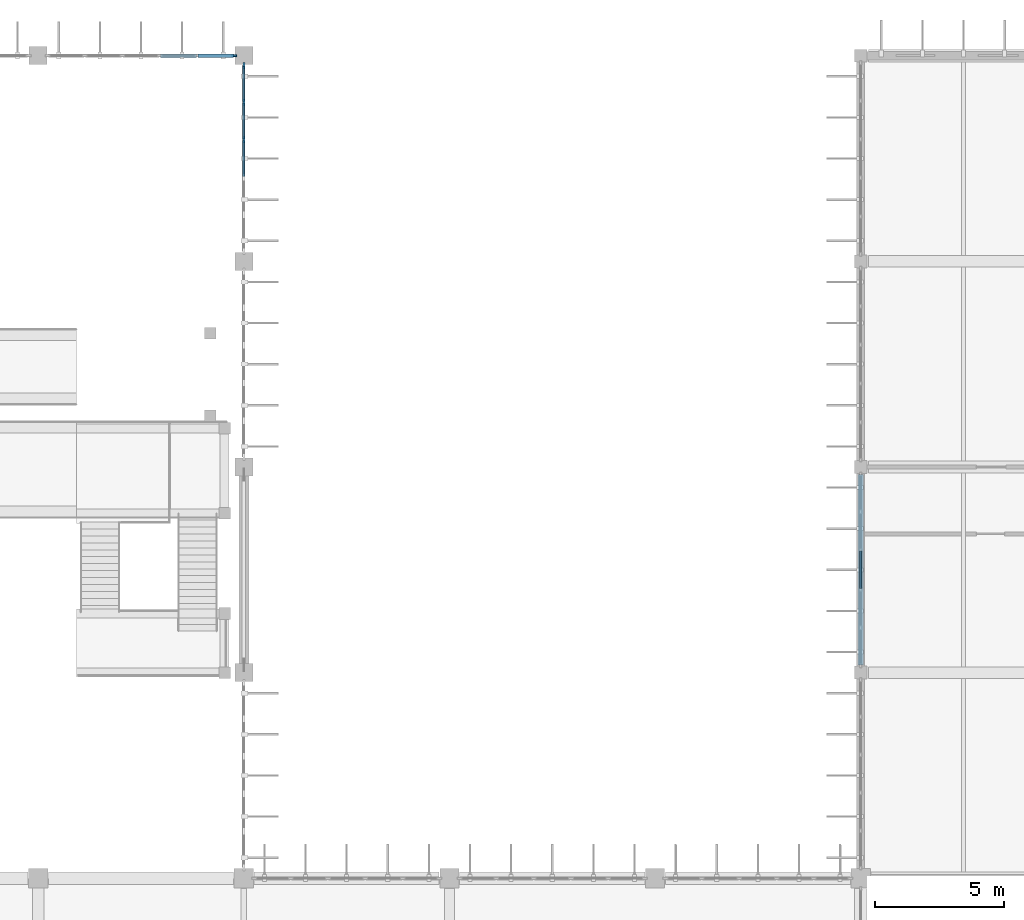
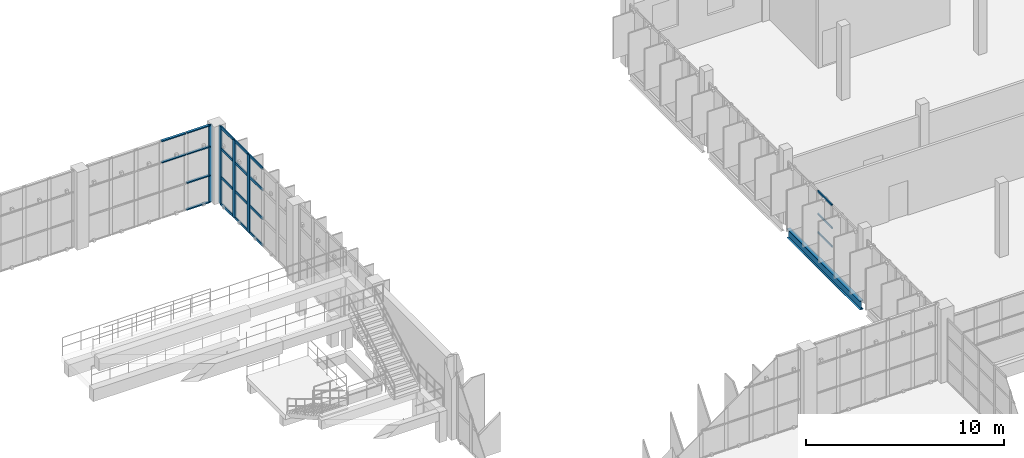
# One storey, part 35 of 93: 25 members, 1 beam, 3 elements without a shape of their own.
"""IFC4 building model written with IfcOpenShell, lengths in metres."""

from ifc_helpers import new_model, si_unit, direction, frame, origin, origin_2d, place, context, subcontext, project, spatial, rectangle, i_section, extrude, material, layer, layer_set, material_profile, profile_set, type_object, element, aggregate, save


model = new_model("IFC4")

# Units and contexts
model_context = context("Model", 3, precision=1e-05, world=origin(), true_north=direction((0.0, 1.0)))
body_context = subcontext(model_context, "Body", "Model", "MODEL_VIEW")
ifc_project = project(units=[si_unit("LENGTHUNIT", "METRE"), si_unit("AREAUNIT", "SQUARE_METRE"), si_unit("VOLUMEUNIT", "CUBIC_METRE"), si_unit("PLANEANGLEUNIT", "RADIAN"), si_unit("MASSUNIT", "GRAM", prefix="KILO")], contexts=[model_context])

# Site, building, storey
site_placement = place(None, origin())
site = spatial("IfcSite", under=ifc_project, at=site_placement, CompositionType="ELEMENT")
building_placement = place(site_placement, origin())
building = spatial("IfcBuilding", under=site, at=building_placement, Name="Drelvana Railside Aquatics Centre", CompositionType="ELEMENT")
storey_placement = place(building_placement, frame((0.0, 0.0, 5.39990234375)))
storey = spatial("IfcBuildingStorey", under=building, at=storey_placement, Name="L01", CompositionType="ELEMENT", Elevation=5.39990234375)

# Curtain wall, members
ifc_material_1 = material(Name="Bronze-anodised aluminium curtain wall", Category="aluminium")
ifc_layer_1 = layer(ifc_material_1, 0.179931640625, Name="Bronze-anodised aluminium curtain wall")
ifc_layer_set_1 = layer_set([ifc_layer_1], Name="Bronze-anodised aluminium curtain wall")
curtain_wall_type_1 = type_object("IfcCurtainWallType", Name="CW-Z2-CLER", PredefinedType="NOTDEFINED", material=ifc_layer_set_1)
curtain_wall_1_placement = place(storey_placement, origin())
curtain_wall_1 = element("IfcCurtainWall", 1, at=curtain_wall_1_placement, inside=storey, type_object=curtain_wall_type_1, Name="Curtain wall CW-02-040", PredefinedType="NOTDEFINED")
ifc_material_2 = material(Name="Bronze-anodised aluminium 6063-T6", Category="aluminium")
ifc_material_profile_1 = material_profile(ifc_material_2, rectangle(XDim=0.070068359375, YDim=0.199951171875, at=origin_2d()), Name="ALU-M 70x200")
ifc_profile_set_1 = profile_set([ifc_material_profile_1], Name="Bronze-anodised aluminium 6063-T6")
member_type_1 = type_object("IfcMemberType", Name="CW-Z2-CLER-MUL", PredefinedType="MULLION", material=ifc_profile_set_1)
member_1_placement = place(storey_placement, frame((71.62109375, 116.0, -0.005859375), z_axis=(0.0, 0.0, 1.0), x_axis=(0.0, 1.0, 0.0)))
member_1 = element("IfcMember", 2, at=member_1_placement, type_object=member_type_1, Name="CW-02 mullion 6", PredefinedType="MULLION", context=body_context, shape_type="SweptSolid", body=[
    extrude(rectangle(XDim=0.070068359375, YDim=0.199951171875, at=origin_2d()), origin(), (0.0, 0.0, 1.0), 4.7958984375),
])
ifc_material_profile_2 = material_profile(ifc_material_2, rectangle(XDim=0.139892578125, YDim=0.06494140625, at=origin_2d()), Name="ALU-T 65x140")
ifc_profile_set_2 = profile_set([ifc_material_profile_2], Name="Bronze-anodised aluminium 6063-T6")
member_type_2 = type_object("IfcMemberType", Name="CW-Z2-CLER-TRN", PredefinedType="USERDEFINED", material=ifc_profile_set_2)
member_2_placement = place(storey_placement, frame((68.76123046875, 116.0, 3.447021484375), z_axis=(1.0, 0.0, 0.0), x_axis=(0.0, 1.0, 0.0)))
member_2 = element("IfcMember", 3, at=member_2_placement, type_object=member_type_2, Name="CW-02 transom 4.3", ObjectType="TRANSOM", PredefinedType="USERDEFINED", context=body_context, shape_type="SweptSolid", body=[
    extrude(rectangle(XDim=0.139892578125, YDim=0.06494140625, at=origin_2d()), origin(), (0.0, 0.0, 1.0), 1.40234375),
])
member_3_placement = place(storey_placement, frame((68.76123046875, 116.0, 4.757568359375), z_axis=(1.0, 0.0, 0.0), x_axis=(0.0, 1.0, 0.0)))
member_3 = element("IfcMember", 4, at=member_3_placement, type_object=member_type_2, Name="CW-02 transom 4.4", ObjectType="TRANSOM", PredefinedType="USERDEFINED", context=body_context, shape_type="SweptSolid", body=[
    extrude(rectangle(XDim=0.139892578125, YDim=0.06494140625, at=origin_2d()), origin(), (0.0, 0.0, 1.0), 1.40234375),
])
member_4_placement = place(storey_placement, frame((70.2236328125, 116.0, 0.026611328125), z_axis=(1.0, 0.0, 0.0), x_axis=(0.0, 1.0, 0.0)))
member_4 = element("IfcMember", 5, at=member_4_placement, type_object=member_type_2, Name="CW-02 transom 5.1", ObjectType="TRANSOM", PredefinedType="USERDEFINED", context=body_context, shape_type="SweptSolid", body=[
    extrude(rectangle(XDim=0.139892578125, YDim=0.06494140625, at=origin_2d()), origin(), (0.0, 0.0, 1.0), 1.367431640625),
])
member_5_placement = place(storey_placement, frame((70.2236328125, 116.0, 1.673095703125), z_axis=(1.0, 0.0, 0.0), x_axis=(0.0, 1.0, 0.0)))
member_5 = element("IfcMember", 6, at=member_5_placement, type_object=member_type_2, Name="CW-02 transom 5.2", ObjectType="TRANSOM", PredefinedType="USERDEFINED", context=body_context, shape_type="SweptSolid", body=[
    extrude(rectangle(XDim=0.139892578125, YDim=0.06494140625, at=origin_2d()), origin(), (0.0, 0.0, 1.0), 1.367431640625),
])
member_6_placement = place(storey_placement, frame((70.2236328125, 116.0, 3.447021484375), z_axis=(1.0, 0.0, 0.0), x_axis=(0.0, 1.0, 0.0)))
member_6 = element("IfcMember", 7, at=member_6_placement, type_object=member_type_2, Name="CW-02 transom 5.3", ObjectType="TRANSOM", PredefinedType="USERDEFINED", context=body_context, shape_type="SweptSolid", body=[
    extrude(rectangle(XDim=0.139892578125, YDim=0.06494140625, at=origin_2d()), origin(), (0.0, 0.0, 1.0), 1.367431640625),
])
member_7_placement = place(storey_placement, frame((70.2236328125, 116.0, 4.757568359375), z_axis=(1.0, 0.0, 0.0), x_axis=(0.0, 1.0, 0.0)))
member_7 = element("IfcMember", 8, at=member_7_placement, type_object=member_type_2, Name="CW-02 transom 5.4", ObjectType="TRANSOM", PredefinedType="USERDEFINED", context=body_context, shape_type="SweptSolid", body=[
    extrude(rectangle(XDim=0.139892578125, YDim=0.06494140625, at=origin_2d()), origin(), (0.0, 0.0, 1.0), 1.367431640625),
])
aggregate(curtain_wall_1, [member_1, member_2, member_3, member_4, member_5, member_6, member_7])

ifc_layer_2 = layer(ifc_material_1, 0.1650390625, Name="Bronze-anodised aluminium curtain wall")
ifc_layer_set_2 = layer_set([ifc_layer_2], Name="Bronze-anodised aluminium curtain wall")
curtain_wall_type_2 = type_object("IfcCurtainWallType", Name="CW-Z5-COURT", PredefinedType="NOTDEFINED", material=ifc_layer_set_2)
curtain_wall_2_placement = place(storey_placement, origin())
curtain_wall_2 = element("IfcCurtainWall", 9, at=curtain_wall_2_placement, inside=storey, type_object=curtain_wall_type_2, Name="Curtain wall CW-05-130", PredefinedType="NOTDEFINED")
ifc_material_profile_3 = material_profile(ifc_material_2, rectangle(XDim=0.1201171875, YDim=0.06005859375, at=origin_2d()), Name="ALU-T 60x120")
ifc_profile_set_3 = profile_set([ifc_material_profile_3], Name="Bronze-anodised aluminium 6063-T6")
member_type_3 = type_object("IfcMemberType", Name="CW-Z5-COURT-TRN", PredefinedType="USERDEFINED", material=ifc_profile_set_3)
member_8_placement = place(storey_placement, frame((96.0, 95.273681640625, 1.274169921875), z_axis=(0.0, 1.0, 0.0), x_axis=(0.0, 0.0, 1.0)))
member_8 = element("IfcMember", 10, at=member_8_placement, type_object=member_type_3, Name="CW-05 transom 3.1", ObjectType="TRANSOM", PredefinedType="USERDEFINED", context=body_context, shape_type="SweptSolid", body=[
    extrude(rectangle(XDim=0.1201171875, YDim=0.06005859375, at=origin_2d()), origin(), (0.0, 0.0, 1.0), 1.45263671875),
])
member_9_placement = place(storey_placement, frame((96.0, 95.273681640625, 2.4169921875), z_axis=(0.0, 1.0, 0.0), x_axis=(0.0, 0.0, 1.0)))
member_9 = element("IfcMember", 11, at=member_9_placement, type_object=member_type_3, Name="CW-05 transom 3.2", ObjectType="TRANSOM", PredefinedType="USERDEFINED", context=body_context, shape_type="SweptSolid", body=[
    extrude(rectangle(XDim=0.1201171875, YDim=0.06005859375, at=origin_2d()), origin(), (0.0, 0.0, 1.0), 1.45263671875),
])
member_10_placement = place(storey_placement, frame((96.0, 95.273681640625, 3.820068359375), z_axis=(0.0, 1.0, 0.0), x_axis=(0.0, 0.0, 1.0)))
member_10 = element("IfcMember", 12, at=member_10_placement, type_object=member_type_3, Name="CW-05 transom 3.3", ObjectType="TRANSOM", PredefinedType="USERDEFINED", context=body_context, shape_type="SweptSolid", body=[
    extrude(rectangle(XDim=0.1201171875, YDim=0.06005859375, at=origin_2d()), origin(), (0.0, 0.0, 1.0), 1.45263671875),
])
aggregate(curtain_wall_2, [member_8, member_9, member_10])

ifc_layer_3 = layer(ifc_material_1, 0.2099609375, Name="Bronze-anodised aluminium curtain wall")
ifc_layer_set_3 = layer_set([ifc_layer_3], Name="Bronze-anodised aluminium curtain wall")
curtain_wall_type_3 = type_object("IfcCurtainWallType", Name="CW-Z7-DIVE", PredefinedType="NOTDEFINED", material=ifc_layer_set_3)
curtain_wall_3_placement = place(storey_placement, origin())
curtain_wall_3 = element("IfcCurtainWall", 13, at=curtain_wall_3_placement, inside=storey, type_object=curtain_wall_type_3, Name="Curtain wall CW-07-097", PredefinedType="NOTDEFINED")
ifc_material_profile_4 = material_profile(ifc_material_2, rectangle(XDim=0.080078125, YDim=0.25, at=origin_2d()), Name="ALU-M 80x250")
ifc_profile_set_4 = profile_set([ifc_material_profile_4], Name="Bronze-anodised aluminium 6063-T6")
member_type_4 = type_object("IfcMemberType", Name="CW-Z7-DIVE-MUL", PredefinedType="MULLION", material=ifc_profile_set_4)
member_11_placement = place(storey_placement, frame((72.0, 112.731201171875, -0.005859375), z_axis=(0.0, 0.0, 1.0), x_axis=(-1.0, 0.0, 0.0)))
member_11 = element("IfcMember", 14, at=member_11_placement, type_object=member_type_4, Name="CW-07 mullion 4", PredefinedType="MULLION", context=body_context, shape_type="SweptSolid", body=[
    extrude(rectangle(XDim=0.080078125, YDim=0.25, at=origin_2d()), origin(), (0.0, 0.0, 1.0), 4.7958984375),
])
member_12_placement = place(storey_placement, frame((72.0, 114.193603515625, -0.005859375), z_axis=(0.0, 0.0, 1.0), x_axis=(-1.0, 0.0, 0.0)))
member_12 = element("IfcMember", 15, at=member_12_placement, type_object=member_type_4, Name="CW-07 mullion 5", PredefinedType="MULLION", context=body_context, shape_type="SweptSolid", body=[
    extrude(rectangle(XDim=0.080078125, YDim=0.25, at=origin_2d()), origin(), (0.0, 0.0, 1.0), 4.7958984375),
])
member_13_placement = place(storey_placement, frame((72.0, 115.615966796875, -0.005859375), z_axis=(0.0, 0.0, 1.0), x_axis=(-1.0, 0.0, 0.0)))
member_13 = element("IfcMember", 16, at=member_13_placement, type_object=member_type_4, Name="CW-07 mullion 6", PredefinedType="MULLION", context=body_context, shape_type="SweptSolid", body=[
    extrude(rectangle(XDim=0.080078125, YDim=0.25, at=origin_2d()), origin(), (0.0, 0.0, 1.0), 4.7958984375),
])
ifc_material_profile_5 = material_profile(ifc_material_2, rectangle(XDim=0.159912109375, YDim=0.070068359375, at=origin_2d()), Name="ALU-T 70x160")
ifc_profile_set_5 = profile_set([ifc_material_profile_5], Name="Bronze-anodised aluminium 6063-T6")
member_type_5 = type_object("IfcMemberType", Name="CW-Z7-DIVE-TRN", PredefinedType="USERDEFINED", material=ifc_profile_set_5)
member_14_placement = place(storey_placement, frame((72.0, 111.3037109375, 0.029052734375), z_axis=(0.0, 1.0, 0.0), x_axis=(0.0, 0.0, 1.0)))
member_14 = element("IfcMember", 17, at=member_14_placement, type_object=member_type_5, Name="CW-07 transom 3.1", ObjectType="TRANSOM", PredefinedType="USERDEFINED", context=body_context, shape_type="SweptSolid", body=[
    extrude(rectangle(XDim=0.159912109375, YDim=0.070068359375, at=origin_2d()), origin(), (0.0, 0.0, 1.0), 1.392578125),
])
member_15_placement = place(storey_placement, frame((72.0, 111.3037109375, 1.673095703125), z_axis=(0.0, 1.0, 0.0), x_axis=(0.0, 0.0, 1.0)))
member_15 = element("IfcMember", 18, at=member_15_placement, type_object=member_type_5, Name="CW-07 transom 3.2", ObjectType="TRANSOM", PredefinedType="USERDEFINED", context=body_context, shape_type="SweptSolid", body=[
    extrude(rectangle(XDim=0.159912109375, YDim=0.070068359375, at=origin_2d()), origin(), (0.0, 0.0, 1.0), 1.392578125),
])
member_16_placement = place(storey_placement, frame((72.0, 111.3037109375, 3.447021484375), z_axis=(0.0, 1.0, 0.0), x_axis=(0.0, 0.0, 1.0)))
member_16 = element("IfcMember", 19, at=member_16_placement, type_object=member_type_5, Name="CW-07 transom 3.3", ObjectType="TRANSOM", PredefinedType="USERDEFINED", context=body_context, shape_type="SweptSolid", body=[
    extrude(rectangle(XDim=0.159912109375, YDim=0.070068359375, at=origin_2d()), origin(), (0.0, 0.0, 1.0), 1.392578125),
])
member_17_placement = place(storey_placement, frame((72.0, 111.3037109375, 4.755126953125), z_axis=(0.0, 1.0, 0.0), x_axis=(0.0, 0.0, 1.0)))
member_17 = element("IfcMember", 20, at=member_17_placement, type_object=member_type_5, Name="CW-07 transom 3.4", ObjectType="TRANSOM", PredefinedType="USERDEFINED", context=body_context, shape_type="SweptSolid", body=[
    extrude(rectangle(XDim=0.159912109375, YDim=0.070068359375, at=origin_2d()), origin(), (0.0, 0.0, 1.0), 1.392578125),
])
member_18_placement = place(storey_placement, frame((72.0, 112.76611328125, 0.029052734375), z_axis=(0.0, 1.0, 0.0), x_axis=(0.0, 0.0, 1.0)))
member_18 = element("IfcMember", 21, at=member_18_placement, type_object=member_type_5, Name="CW-07 transom 4.1", ObjectType="TRANSOM", PredefinedType="USERDEFINED", context=body_context, shape_type="SweptSolid", body=[
    extrude(rectangle(XDim=0.159912109375, YDim=0.070068359375, at=origin_2d()), origin(), (0.0, 0.0, 1.0), 1.392578125),
])
member_19_placement = place(storey_placement, frame((72.0, 112.76611328125, 1.673095703125), z_axis=(0.0, 1.0, 0.0), x_axis=(0.0, 0.0, 1.0)))
member_19 = element("IfcMember", 22, at=member_19_placement, type_object=member_type_5, Name="CW-07 transom 4.2", ObjectType="TRANSOM", PredefinedType="USERDEFINED", context=body_context, shape_type="SweptSolid", body=[
    extrude(rectangle(XDim=0.159912109375, YDim=0.070068359375, at=origin_2d()), origin(), (0.0, 0.0, 1.0), 1.392578125),
])
member_20_placement = place(storey_placement, frame((72.0, 112.76611328125, 3.447021484375), z_axis=(0.0, 1.0, 0.0), x_axis=(0.0, 0.0, 1.0)))
member_20 = element("IfcMember", 23, at=member_20_placement, type_object=member_type_5, Name="CW-07 transom 4.3", ObjectType="TRANSOM", PredefinedType="USERDEFINED", context=body_context, shape_type="SweptSolid", body=[
    extrude(rectangle(XDim=0.159912109375, YDim=0.070068359375, at=origin_2d()), origin(), (0.0, 0.0, 1.0), 1.392578125),
])
member_21_placement = place(storey_placement, frame((72.0, 112.76611328125, 4.755126953125), z_axis=(0.0, 1.0, 0.0), x_axis=(0.0, 0.0, 1.0)))
member_21 = element("IfcMember", 24, at=member_21_placement, type_object=member_type_5, Name="CW-07 transom 4.4", ObjectType="TRANSOM", PredefinedType="USERDEFINED", context=body_context, shape_type="SweptSolid", body=[
    extrude(rectangle(XDim=0.159912109375, YDim=0.070068359375, at=origin_2d()), origin(), (0.0, 0.0, 1.0), 1.392578125),
])
member_22_placement = place(storey_placement, frame((72.0, 114.228515625, 0.029052734375), z_axis=(0.0, 1.0, 0.0), x_axis=(0.0, 0.0, 1.0)))
member_22 = element("IfcMember", 25, at=member_22_placement, type_object=member_type_5, Name="CW-07 transom 5.1", ObjectType="TRANSOM", PredefinedType="USERDEFINED", context=body_context, shape_type="SweptSolid", body=[
    extrude(rectangle(XDim=0.159912109375, YDim=0.070068359375, at=origin_2d()), origin(), (0.0, 0.0, 1.0), 1.3525390625),
])
member_23_placement = place(storey_placement, frame((72.0, 114.228515625, 1.673095703125), z_axis=(0.0, 1.0, 0.0), x_axis=(0.0, 0.0, 1.0)))
member_23 = element("IfcMember", 26, at=member_23_placement, type_object=member_type_5, Name="CW-07 transom 5.2", ObjectType="TRANSOM", PredefinedType="USERDEFINED", context=body_context, shape_type="SweptSolid", body=[
    extrude(rectangle(XDim=0.159912109375, YDim=0.070068359375, at=origin_2d()), origin(), (0.0, 0.0, 1.0), 1.3525390625),
])
member_24_placement = place(storey_placement, frame((72.0, 114.228515625, 3.447021484375), z_axis=(0.0, 1.0, 0.0), x_axis=(0.0, 0.0, 1.0)))
member_24 = element("IfcMember", 27, at=member_24_placement, type_object=member_type_5, Name="CW-07 transom 5.3", ObjectType="TRANSOM", PredefinedType="USERDEFINED", context=body_context, shape_type="SweptSolid", body=[
    extrude(rectangle(XDim=0.159912109375, YDim=0.070068359375, at=origin_2d()), origin(), (0.0, 0.0, 1.0), 1.3525390625),
])
member_25_placement = place(storey_placement, frame((72.0, 114.228515625, 4.755126953125), z_axis=(0.0, 1.0, 0.0), x_axis=(0.0, 0.0, 1.0)))
member_25 = element("IfcMember", 28, at=member_25_placement, type_object=member_type_5, Name="CW-07 transom 5.4", ObjectType="TRANSOM", PredefinedType="USERDEFINED", context=body_context, shape_type="SweptSolid", body=[
    extrude(rectangle(XDim=0.159912109375, YDim=0.070068359375, at=origin_2d()), origin(), (0.0, 0.0, 1.0), 1.3525390625),
])
aggregate(curtain_wall_3, [member_11, member_12, member_13, member_14, member_15, member_16, member_17, member_18, member_19, member_20, member_21, member_22, member_23, member_24, member_25])

# Beam
ifc_material_3 = material(Name="Structural steel S355", Category="steel")
ifc_material_profile_6 = material_profile(ifc_material_3, i_section(OverallWidth=0.2099609375, OverallDepth=0.550048828125, WebThickness=0.010986328125, FlangeThickness=0.01708984375, at=origin_2d()), Name="IPE 550")
ifc_profile_set_6 = profile_set([ifc_material_profile_6], Name="Structural steel S355")
beam_type = type_object("IfcBeamType", Name="STR-SBM-SB-04-IPE-550", PredefinedType="SPANDREL", material=ifc_profile_set_6)
beam_placement = place(storey_placement, frame((96.0, 92.300048828125, -0.5498046875), z_axis=(0.0, 1.0, 0.0), x_axis=(-1.0, 0.0, 0.0)))
element("IfcBeam", 29, at=beam_placement, inside=storey, type_object=beam_type, Name="Girder SB-04 (L01)", PredefinedType="SPANDREL", context=body_context, shape_type="SweptSolid", body=[
    extrude(i_section(OverallWidth=0.2099609375, OverallDepth=0.550048828125, WebThickness=0.010986328125, FlangeThickness=0.01708984375, at=origin_2d()), origin(), (0.0, 0.0, 1.0), 7.39990234375),
])

save(model, "model.ifc")
